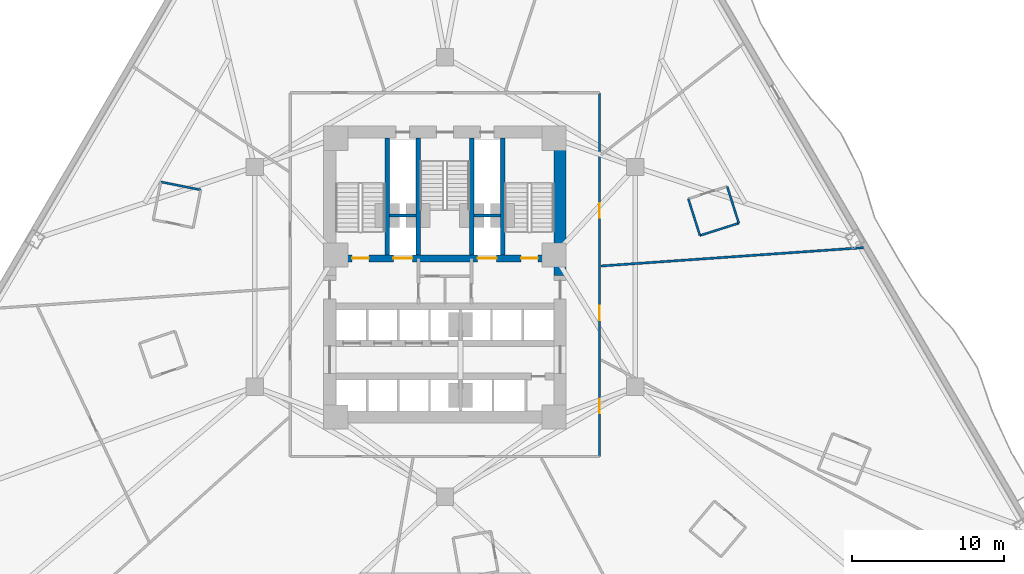
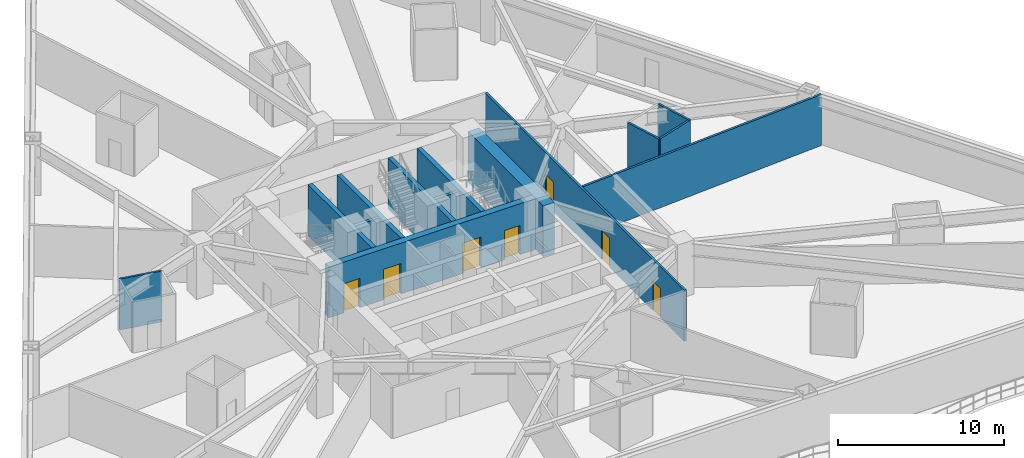
# One storey, part 5 of 10: 14 walls, 7 doors, 7 openings.
"""IFC4 building model written with IfcOpenShell, lengths in metres."""

import ifcopenshell
import ifcopenshell.guid

model = None  # the IFC model being written
_history = None  # IfcOwnerHistory: only IFC2X3 demands one
_inside = {}  # id of a spatial element -> (the spatial element, [elements in it])
_under = {}  # id of a project, library or spatial element -> (it, [spatial elements below it])
_declared = {}  # id of a project -> (the project, [libraries it declares])
_typed = {}  # id of a type object -> (the type object, [elements of that type])
_made_of = {}  # id of a material, layer set ... -> (it, [elements and type objects made of it])


def new_model(schema):
    """Start an empty IFC model of exactly this schema.

    Asked for "IFC4X3", IfcOpenShell would pick the latest addendum, in which some entities
    have other attributes; the version numbers below select the first issue.
    IFC2X3 requires an IfcOwnerHistory on every rooted entity: one is made here for all.
    """
    global model, _history
    if schema == "IFC4X3":
        model = ifcopenshell.file(schema_version=(4, 3, 0, 0))
    else:
        model = ifcopenshell.file(schema=schema)
    _inside.clear()
    _under.clear()
    _declared.clear()
    _typed.clear()
    _made_of.clear()
    _history = None
    if model.schema == "IFC2X3":
        org = make("IfcOrganization", Name="unknown")
        user = make(
            "IfcPersonAndOrganization",
            ThePerson=make("IfcPerson", FamilyName="unknown"),
            TheOrganization=org,
        )
        app = make(
            "IfcApplication",
            ApplicationDeveloper=org,
            Version="unknown",
            ApplicationFullName="unknown",
            ApplicationIdentifier="unknown",
        )
        _history = make(
            "IfcOwnerHistory",
            OwningUser=user,
            OwningApplication=app,
            ChangeAction="ADDED",
            CreationDate=0,
        )
    return model


def make(cls, **values):
    """One entity of the class cls with the attributes given. An attribute that is None is left unset."""
    return model.create_entity(
        cls, **{name: value for name, value in values.items() if value is not None}
    )


def rooted(cls, **values):
    """An entity with a GlobalId (a new one), such as an element, a storey or a relation."""
    return make(cls, GlobalId=ifcopenshell.guid.new(), OwnerHistory=_history, **values)


def si_unit(unit_type, name, prefix=None):
    """IfcSIUnit, for example si_unit("LENGTHUNIT", "METRE", prefix="MILLI")."""
    return make("IfcSIUnit", UnitType=unit_type, Prefix=prefix, Name=name)


def assignment(units):
    """IfcUnitAssignment: the units of a project."""
    return None if units is None else make("IfcUnitAssignment", Units=units)


def point(xyz):
    """IfcCartesianPoint."""
    return None if xyz is None else make("IfcCartesianPoint", Coordinates=xyz)


def direction(xyz):
    """IfcDirection."""
    return None if xyz is None else make("IfcDirection", DirectionRatios=xyz)


def frame(location, z_axis=None, x_axis=None):
    """IfcAxis2Placement3D, a coordinate frame: its origin and axes. An axis left out is left unset."""
    return make(
        "IfcAxis2Placement3D",
        Location=point(location),
        Axis=direction(z_axis),
        RefDirection=direction(x_axis),
    )


def frame_2d(location, x_axis=None):
    """IfcAxis2Placement2D, a coordinate frame in the plane: its origin and x axis."""
    return make(
        "IfcAxis2Placement2D", Location=point(location), RefDirection=direction(x_axis)
    )


def origin():
    """The frame at (0, 0, 0) with its axes left unset."""
    return frame((0.0, 0.0, 0.0))


def place(relative_to, where):
    """IfcLocalPlacement: puts the frame where relative to a parent placement (None: the world)."""
    return make(
        "IfcLocalPlacement", PlacementRelTo=relative_to, RelativePlacement=where
    )


def context(
    kind, dimensions, precision=None, world=None, true_north=None, identifier=None
):
    """IfcGeometricRepresentationContext, for example the 3D "Model" context."""
    return make(
        "IfcGeometricRepresentationContext",
        ContextIdentifier=identifier,
        ContextType=kind,
        CoordinateSpaceDimension=dimensions,
        Precision=precision,
        WorldCoordinateSystem=world,
        TrueNorth=true_north,
    )


def subcontext(parent, identifier, kind, view, scale=None):
    """IfcGeometricRepresentationSubContext, for example "Body" below "Model"."""
    return make(
        "IfcGeometricRepresentationSubContext",
        ContextIdentifier=identifier,
        ContextType=kind,
        ParentContext=parent,
        TargetScale=scale,
        TargetView=view,
    )


def project(units=None, contexts=None):
    """IfcProject with its units and contexts."""
    return rooted(
        "IfcProject",
        Name="project",
        RepresentationContexts=contexts,
        UnitsInContext=assignment(units),
    )


def spatial(cls, under=None, at=None, **own):
    """A site, building, storey or space (cls), placed at a placement, below another one or the project."""
    s = rooted(cls, ObjectPlacement=at, **own)
    if under is not None:
        _under.setdefault(under.id(), (under, []))[1].append(s)
    return s


def profile(cls, at=None, kind="AREA", **sizes):
    """A parametric profile (cls). Its sizes go by their IFC names, for example OverallWidth=200.0."""
    return make(cls, ProfileType=kind, Position=at, **sizes)


def rectangle(**sizes):
    """IfcRectangleProfileDef."""
    return profile("IfcRectangleProfileDef", **sizes)


def extrude(swept, where, along, depth):
    """IfcExtrudedAreaSolid: the profile swept, set in the frame where, extruded along a direction by depth."""
    return make(
        "IfcExtrudedAreaSolid",
        SweptArea=swept,
        Position=where,
        ExtrudedDirection=direction(along),
        Depth=depth,
    )


def shape(context_of_items, identifier, shape_type, items):
    """IfcShapeRepresentation: the items that make up one representation, for example the "Body"."""
    return make(
        "IfcShapeRepresentation",
        ContextOfItems=context_of_items,
        RepresentationIdentifier=identifier,
        RepresentationType=shape_type,
        Items=items,
    )


def material(Name=None, Category=None):
    """IfcMaterial."""
    return make("IfcMaterial", Name=Name, Category=Category)


def layer(
    of_material, thickness, ventilated=None, Name=None, Category=None, Priority=None
):
    """IfcMaterialLayer: one layer of a wall or slab, of a material (None: an air gap)."""
    return make(
        "IfcMaterialLayer",
        Material=of_material,
        LayerThickness=thickness,
        IsVentilated=ventilated,
        Name=Name,
        Category=Category,
        Priority=Priority,
    )


def layer_set(layers, Name=None):
    """IfcMaterialLayerSet."""
    return make("IfcMaterialLayerSet", MaterialLayers=layers, LayerSetName=Name)


def made_of(thing, what):
    """Note that an element or type object is made of a material, layer set ...; save() writes the relation."""
    if what is not None:
        _made_of.setdefault(what.id(), (what, []))[1].append(thing)
    return thing


def type_object(cls, material=None, **own):
    """A type object (cls), such as IfcWallType, which elements share."""
    return made_of(rooted(cls, **own), material)


def element(
    cls,
    number,
    at=None,
    inside=None,
    cuts=None,
    type_object=None,
    material=None,
    context=None,
    identifier="Body",
    shape_type=None,
    held_by="IfcProductDefinitionShape",
    body=None,
    shapes=None,
    **own,
):
    """One element of the class cls, such as IfcWall. Its Tag is "e" and its number.

    at: its placement. inside: the storey or other place that contains it. cuts: it is an
    opening in that element (IfcRelVoidsElement). A single representation is given by context,
    identifier, shape_type and body (its items); several are given by shapes. held_by: the class
    of the entity that holds the representations. save() writes the other relations.
    """
    e = rooted(cls, Tag="e%d" % number, ObjectPlacement=at, **own)
    if body is not None:
        shapes = [shape(context, identifier, shape_type, body)]
    if shapes is not None:
        e.Representation = make(held_by, Representations=shapes)
    if inside is not None:
        _inside.setdefault(inside.id(), (inside, []))[1].append(e)
    if cuts is not None:
        rooted(
            "IfcRelVoidsElement", RelatingBuildingElement=cuts, RelatedOpeningElement=e
        )
    if type_object is not None:
        _typed.setdefault(type_object.id(), (type_object, []))[1].append(e)
    return made_of(e, material)


def fill(opening, filler):
    """IfcRelFillsElement: the door or window that sits in an opening."""
    return rooted(
        "IfcRelFillsElement",
        RelatingOpeningElement=opening,
        RelatedBuildingElement=filler,
    )


def aggregate(whole, parts):
    """IfcRelAggregates: a whole, such as a stair, and the parts it consists of."""
    return rooted("IfcRelAggregates", RelatingObject=whole, RelatedObjects=parts)


def save(model, path):
    """Write the relations noted so far, then the file.

    IfcRelAggregates (storeys below a building ...), IfcRelContainedInSpatialStructure (elements
    in a storey), IfcRelDefinesByType, IfcRelAssociatesMaterial and IfcRelDeclares: one each for
    every whole, place, type object, material and project.
    """
    for whole, parts in _under.values():
        aggregate(whole, parts)
    for where, things in _inside.values():
        rooted(
            "IfcRelContainedInSpatialStructure",
            RelatedElements=things,
            RelatingStructure=where,
        )
    for kind, things in _typed.values():
        rooted("IfcRelDefinesByType", RelatedObjects=things, RelatingType=kind)
    for what, things in _made_of.values():
        rooted("IfcRelAssociatesMaterial", RelatedObjects=things, RelatingMaterial=what)
    for by, libraries in _declared.values():
        rooted("IfcRelDeclares", RelatingContext=by, RelatedDefinitions=libraries)
    model.write(path)


model = new_model("IFC4")

# Units and contexts
model_context = context("Model", 3, precision=1e-05, world=origin(), true_north=direction((0.0, 1.0)))
body_context = subcontext(model_context, "Body", "Model", "MODEL_VIEW")
ifc_project = project(units=[si_unit("LENGTHUNIT", "METRE"), si_unit("AREAUNIT", "SQUARE_METRE"), si_unit("VOLUMEUNIT", "CUBIC_METRE"), si_unit("PLANEANGLEUNIT", "RADIAN"), si_unit("MASSUNIT", "GRAM", prefix="KILO")], contexts=[model_context])

# Site, building, storey
site_placement = place(None, origin())
site = spatial("IfcSite", under=ifc_project, at=site_placement, CompositionType="ELEMENT")
building_placement = place(site_placement, origin())
building = spatial("IfcBuilding", under=site, at=building_placement, Name="Apsidion Concourse Tower", CompositionType="ELEMENT")
storey_placement = place(building_placement, frame((0.0, 0.0, 38.39990234375)))
storey = spatial("IfcBuildingStorey", under=building, at=storey_placement, Name="L07", CompositionType="ELEMENT", Elevation=38.39990234375)

# Walls
ifc_material_1 = material(Name="Gypsum plasterboard partition")
ifc_layer_1 = layer(ifc_material_1, 0.139892578125)
ifc_layer_set_1 = layer_set([ifc_layer_1], Name="Gypsum plasterboard partition")
wall_type_1 = type_object("IfcWallType", Name="WL-INT-PAR-140", PredefinedType="PARTITIONING", material=ifc_layer_set_1)
wall_1_placement = place(storey_placement, frame((16.822021484375, 2.730712890625, 0.0), z_axis=(0.0, 0.0, 1.0), x_axis=(0.953175772707, 0.302416841998, 0.0)))
element("IfcWall", 1, at=wall_1_placement, inside=storey, type_object=wall_type_1, Name="L07 Interior Partition WL-L07-POD-ENS05-S1", PredefinedType="PARTITIONING", context=body_context, shape_type="SweptSolid", body=[
    extrude(rectangle(XDim=2.68994140625, YDim=0.139892578125, at=frame_2d((1.344970703125, 0.0))), origin(), (0.0, 0.0, 1.0), 3.75),
])
for number, where, z_axis, x_axis, name in (
    (2, (19.385986328125, 3.544189453125, 0.0), (0.0, 0.0, 1.0), (-0.302382317173, 0.953186725811, 0.0), "L07 Interior Partition WL-L07-POD-ENS05-S2"),
    (3, (16.0537109375, 5.15185546875, 0.0), (0.0, 0.0, 1.0), (0.302469641391, -0.953159019281, 0.0), "L07 Interior Partition WL-L07-POD-ENS05-S4"),
):
    element("IfcWall", number, at=place(storey_placement, frame(where, z_axis=z_axis, x_axis=x_axis)), inside=storey, type_object=wall_type_1, Name=name, PredefinedType="PARTITIONING", context=body_context, shape_type="SweptSolid", body=[
        extrude(rectangle(XDim=2.5400390625, YDim=0.139892578125, at=frame_2d((1.27001953125, 0.0))), origin(), (0.0, 0.0, 1.0), 3.75),
    ])
wall_2_placement = place(storey_placement, frame((-16.11181640625, 5.73974609375, 0.0), z_axis=(0.0, 0.0, 1.0), x_axis=(-0.980615566205, 0.195941601799, 0.0)))
element("IfcWall", 4, at=wall_2_placement, inside=storey, type_object=wall_type_1, Name="L07 Interior Partition WL-L07-POD-ENS09-S1", PredefinedType="PARTITIONING", context=body_context, shape_type="SweptSolid", body=[
    extrude(rectangle(XDim=2.690185546875, YDim=0.139892578125, at=frame_2d((1.34521484375, 0.0))), origin(), (0.0, 0.0, 1.0), 3.75),
])

# Wall, openings, doors
ifc_layer_2 = layer(ifc_material_1, 0.14990234375)
ifc_layer_set_2 = layer_set([ifc_layer_2], Name="Gypsum plasterboard partition")
wall_type_2 = type_object("IfcWallType", Name="WL-INT-PAR-150", PredefinedType="PARTITIONING", material=ifc_layer_set_2)
wall_3_placement = place(storey_placement, frame((10.199951171875, 12.14990234375, 0.0), z_axis=(0.0, 0.0, 1.0), x_axis=(0.0, -1.0, 0.0)))
wall_3 = element("IfcWall", 5, at=wall_3_placement, inside=storey, type_object=wall_type_2, Name="L07 Interior Partition WL-L07-CORR-02", PredefinedType="PARTITIONING", context=body_context, shape_type="SweptSolid", body=[
    extrude(rectangle(XDim=24.0, YDim=0.14990234375, at=frame_2d((12.0, 0.0))), origin(), (0.0, 0.0, 1.0), 3.75),
])
opening_1_placement = place(wall_3_placement, frame((20.210693359375, 0.0, 0.0)))
opening_1 = element("IfcOpeningElement", 6, at=opening_1_placement, cuts=wall_3, Name="Opening D-01R", PredefinedType="OPENING", context=body_context, shape_type="SweptSolid", body=[
    extrude(rectangle(XDim=0.949951171875, YDim=2.14990234375, at=frame_2d((0.47509765625, 1.074951171875))), frame((0.0, 0.0849609375, 0.0), z_axis=(0.0, -1.0, 0.0), x_axis=(1.0, 0.0, 0.0)), (0.0, 0.0, 1.0), 0.169921875),
])
opening_2_placement = place(wall_3_placement, frame((14.0498046875, 0.0, 0.0)))
opening_2 = element("IfcOpeningElement", 7, at=opening_2_placement, cuts=wall_3, Name="Opening D-01L", PredefinedType="OPENING", context=body_context, shape_type="SweptSolid", body=[
    extrude(rectangle(XDim=0.949951171875, YDim=2.14990234375, at=frame_2d((0.47509765625, 1.074951171875))), frame((0.0, 0.0849609375, 0.0), z_axis=(0.0, -1.0, 0.0), x_axis=(1.0, 0.0, 0.0)), (0.0, 0.0, 1.0), 0.169921875),
])
opening_3_placement = place(wall_3_placement, frame((7.29150390625, 0.0, 0.0)))
opening_3 = element("IfcOpeningElement", 8, at=opening_3_placement, cuts=wall_3, Name="Opening D-01R", PredefinedType="OPENING", context=body_context, shape_type="SweptSolid", body=[
    extrude(rectangle(XDim=0.949951171875, YDim=2.14990234375, at=frame_2d((0.47509765625, 1.074951171875))), frame((0.0, 0.0849609375, 0.0), z_axis=(0.0, -1.0, 0.0), x_axis=(1.0, 0.0, 0.0)), (0.0, 0.0, 1.0), 0.169921875),
])
ifc_material_2 = material(Name="Brushed stainless steel 316", Category="steel")
door_type_1 = type_object("IfcDoorType", Name="DR-INT-D01L", OperationType="SINGLE_SWING_LEFT", PredefinedType="DOOR", material=ifc_material_2)
door_1_placement = place(opening_2_placement, origin())
door_1 = element("IfcDoor", 9, at=door_1_placement, inside=storey, type_object=door_type_1, Name="L07 Corridor Entry Door 05", OperationType="SINGLE_SWING_LEFT", OverallHeight=2.14990234375, OverallWidth=0.949951171875, PredefinedType="DOOR", context=body_context, shape_type="SweptSolid", body=[
    extrude(rectangle(XDim=0.949951171875, YDim=2.14990234375, at=frame_2d((0.47509765625, 1.074951171875))), frame((0.0, 0.02490234375, 0.0), z_axis=(0.0, -1.0, 0.0), x_axis=(1.0, 0.0, 0.0)), (0.0, 0.0, 1.0), 0.050048828125),
])
fill(opening_2, door_1)
door_type_2 = type_object("IfcDoorType", Name="DR-INT-D01R", OperationType="SINGLE_SWING_RIGHT", PredefinedType="DOOR", material=ifc_material_2)
door_2_placement = place(opening_1_placement, origin())
door_2 = element("IfcDoor", 10, at=door_2_placement, inside=storey, type_object=door_type_2, Name="L07 Corridor Entry Door 04", OperationType="SINGLE_SWING_RIGHT", OverallHeight=2.14990234375, OverallWidth=0.949951171875, PredefinedType="DOOR", context=body_context, shape_type="SweptSolid", body=[
    extrude(rectangle(XDim=0.949951171875, YDim=2.14990234375, at=frame_2d((0.47509765625, 1.074951171875))), frame((0.0, 0.02490234375, 0.0), z_axis=(0.0, -1.0, 0.0), x_axis=(1.0, 0.0, 0.0)), (0.0, 0.0, 1.0), 0.050048828125),
])
fill(opening_1, door_2)
door_3_placement = place(opening_3_placement, origin())
door_3 = element("IfcDoor", 11, at=door_3_placement, inside=storey, type_object=door_type_2, Name="L07 Corridor Entry Door 06", OperationType="SINGLE_SWING_RIGHT", OverallHeight=2.14990234375, OverallWidth=0.949951171875, PredefinedType="DOOR", context=body_context, shape_type="SweptSolid", body=[
    extrude(rectangle(XDim=0.949951171875, YDim=2.14990234375, at=frame_2d((0.47509765625, 1.074951171875))), frame((0.0, 0.02490234375, 0.0), z_axis=(0.0, -1.0, 0.0), x_axis=(1.0, 0.0, 0.0)), (0.0, 0.0, 1.0), 0.050048828125),
])
fill(opening_3, door_3)

# Walls
wall_4_placement = place(storey_placement, frame((10.304931640625, 0.720703125, 0.0), z_axis=(0.0, 0.0, 1.0), x_axis=(0.997564495515, 0.069750106007, 0.0)))
element("IfcWall", 12, at=wall_4_placement, inside=storey, type_object=wall_type_2, Name="L07 Interior Partition WL-L07-RAD-01-1", PredefinedType="PARTITIONING", context=body_context, shape_type="SweptSolid", body=[
    extrude(rectangle(XDim=17.340087890625, YDim=0.14990234375, at=frame_2d((8.669921875, 0.0))), origin(), (0.0, 0.0, 1.0), 3.75),
])
ifc_layer_3 = layer(ifc_material_1, 0.199951171875)
ifc_layer_set_3 = layer_set([ifc_layer_3], Name="Gypsum plasterboard partition")
wall_type_3 = type_object("IfcWallType", Name="WL-INT-PAR-200", PredefinedType="PARTITIONING", material=ifc_layer_set_3)
for number, where, z_axis, x_axis, name in (
    (13, (-3.64990234375, 4.050048828125, 0.0), (0.0, 0.0, 1.0), (1.0, 0.0, 0.0), "L07 Interior Partition WL-L07-FF1-N"),
    (14, (1.919921875, 4.050048828125, 0.0), (0.0, 0.0, 1.0), (1.0, 0.0, 0.0), "L07 Interior Partition WL-L07-FF2-N"),
):
    element("IfcWall", number, at=place(storey_placement, frame(where, z_axis=z_axis, x_axis=x_axis)), inside=storey, type_object=wall_type_3, Name=name, PredefinedType="PARTITIONING", context=body_context, shape_type="SweptSolid", body=[
        extrude(rectangle(XDim=1.72998046875, YDim=0.199951171875, at=frame_2d((0.864990234375, 0.0))), origin(), (0.0, 0.0, 1.0), 3.75),
    ])
ifc_material_3 = material(Name="Concrete C50/60", Category="concrete")
ifc_layer_4 = layer(ifc_material_3, 0.300048828125)
ifc_layer_set_4 = layer_set([ifc_layer_4], Name="Concrete C50/60")
wall_type_4 = type_object("IfcWallType", Name="WL-SH-300", PredefinedType="SHEAR", material=ifc_layer_set_4)
for number, where, z_axis, x_axis, name in (
    (15, (-3.800048828125, 1.449951171875, 0.0), (0.0, 0.0, 1.0), (0.0, 1.0, 0.0), "L07 Central Core Shear Wall V1"),
    (16, (-1.77490234375, 1.449951171875, 0.0), (0.0, 0.0, 1.0), (0.0, 1.0, 0.0), "L07 Central Core Shear Wall V2"),
    (17, (1.77490234375, 1.449951171875, 0.0), (0.0, 0.0, 1.0), (0.0, 1.0, 0.0), "L07 Central Core Shear Wall V3"),
    (18, (3.800048828125, 1.449951171875, 0.0), (0.0, 0.0, 1.0), (0.0, 1.0, 0.0), "L07 Central Core Shear Wall V4"),
):
    element("IfcWall", number, at=place(storey_placement, frame(where, z_axis=z_axis, x_axis=x_axis)), inside=storey, type_object=wall_type_4, Name=name, PredefinedType="SHEAR", context=body_context, shape_type="SweptSolid", body=[
        extrude(rectangle(XDim=7.699951171875, YDim=0.300048828125, at=frame_2d((3.85009765625, 0.0))), origin(), (0.0, 0.0, 1.0), 3.75),
    ])

# Wall, openings, doors
ifc_material_4 = material(Name="Concrete C60/75", Category="concrete")
ifc_layer_5 = layer(ifc_material_4, 0.449951171875)
ifc_layer_set_5 = layer_set([ifc_layer_5], Name="Concrete C60/75")
wall_type_5 = type_object("IfcWallType", Name="WL-SH-450", PredefinedType="SHEAR", material=ifc_layer_set_5)
wall_5_placement = place(storey_placement, frame((-7.199951171875, 1.22509765625, 0.0), z_axis=(0.0, 0.0, 1.0), x_axis=(1.0, 0.0, 0.0)))
wall_5 = element("IfcWall", 19, at=wall_5_placement, inside=storey, type_object=wall_type_5, Name="L07 Central Core Shear Wall M1", PredefinedType="SHEAR", context=body_context, shape_type="SweptSolid", body=[
    extrude(rectangle(XDim=14.39990234375, YDim=0.449951171875, at=frame_2d((7.199951171875, 0.0))), origin(), (0.0, 0.0, 1.0), 3.75),
])
opening_4_placement = place(wall_5_placement, frame((3.794921875, 0.0, 0.0)))
opening_4 = element("IfcOpeningElement", 20, at=opening_4_placement, cuts=wall_5, Name="Opening LD-FF", PredefinedType="OPENING", context=body_context, shape_type="SweptSolid", body=[
    extrude(rectangle(XDim=1.25, YDim=2.25, at=frame_2d((0.625, 1.125))), frame((0.0, 0.23486328125, 0.0), z_axis=(0.0, -1.0, 0.0), x_axis=(1.0, 0.0, 0.0)), (0.0, 0.0, 1.0), 0.469970703125),
])
opening_5_placement = place(wall_5_placement, frame((9.35498046875, 0.0, 0.0)))
opening_5 = element("IfcOpeningElement", 21, at=opening_5_placement, cuts=wall_5, Name="Opening LD-FF", PredefinedType="OPENING", context=body_context, shape_type="SweptSolid", body=[
    extrude(rectangle(XDim=1.25, YDim=2.25, at=frame_2d((0.625, 1.125))), frame((0.0, 0.23486328125, 0.0), z_axis=(0.0, -1.0, 0.0), x_axis=(1.0, 0.0, 0.0)), (0.0, 0.0, 1.0), 0.469970703125),
])
opening_6_placement = place(wall_5_placement, frame((1.074951171875, 0.0, 0.0)))
opening_6 = element("IfcOpeningElement", 22, at=opening_6_placement, cuts=wall_5, Name="Opening D-STL", PredefinedType="OPENING", context=body_context, shape_type="SweptSolid", body=[
    extrude(rectangle(XDim=1.10009765625, YDim=2.14990234375, at=frame_2d((0.550048828125, 1.074951171875))), frame((0.0, 0.23486328125, 0.0), z_axis=(0.0, -1.0, 0.0), x_axis=(1.0, 0.0, 0.0)), (0.0, 0.0, 1.0), 0.469970703125),
])
opening_7_placement = place(wall_5_placement, frame((12.22509765625, 0.0, 0.0)))
opening_7 = element("IfcOpeningElement", 23, at=opening_7_placement, cuts=wall_5, Name="Opening D-STR", PredefinedType="OPENING", context=body_context, shape_type="SweptSolid", body=[
    extrude(rectangle(XDim=1.10009765625, YDim=2.14990234375, at=frame_2d((0.550048828125, 1.074951171875))), frame((0.0, 0.23486328125, 0.0), z_axis=(0.0, -1.0, 0.0), x_axis=(1.0, 0.0, 0.0)), (0.0, 0.0, 1.0), 0.469970703125),
])
door_type_3 = type_object("IfcDoorType", Name="DR-INT-ST1L", OperationType="SINGLE_SWING_LEFT", PredefinedType="DOOR", material=ifc_material_2)
door_4_placement = place(opening_6_placement, origin())
door_4 = element("IfcDoor", 24, at=door_4_placement, inside=storey, type_object=door_type_3, Name="L07 Core Exit Stair ST1 Door", OperationType="SINGLE_SWING_LEFT", OverallHeight=2.14990234375, OverallWidth=1.10009765625, PredefinedType="DOOR", context=body_context, shape_type="SweptSolid", body=[
    extrude(rectangle(XDim=1.10009765625, YDim=2.14990234375, at=frame_2d((0.550048828125, 1.074951171875))), frame((0.0, 0.02490234375, 0.0), z_axis=(0.0, -1.0, 0.0), x_axis=(1.0, 0.0, 0.0)), (0.0, 0.0, 1.0), 0.050048828125),
])
fill(opening_6, door_4)
door_type_4 = type_object("IfcDoorType", Name="DR-INT-ST1R", OperationType="SINGLE_SWING_RIGHT", PredefinedType="DOOR", material=ifc_material_2)
door_5_placement = place(opening_7_placement, origin())
door_5 = element("IfcDoor", 25, at=door_5_placement, inside=storey, type_object=door_type_4, Name="L07 Core Exit Stair ST2 Door", OperationType="SINGLE_SWING_RIGHT", OverallHeight=2.14990234375, OverallWidth=1.10009765625, PredefinedType="DOOR", context=body_context, shape_type="SweptSolid", body=[
    extrude(rectangle(XDim=1.10009765625, YDim=2.14990234375, at=frame_2d((0.550048828125, 1.074951171875))), frame((0.0, 0.02490234375, 0.0), z_axis=(0.0, -1.0, 0.0), x_axis=(1.0, 0.0, 0.0)), (0.0, 0.0, 1.0), 0.050048828125),
])
fill(opening_7, door_5)
door_type_5 = type_object("IfcDoorType", Name="DR-LD-FSAE", OperationType="DOUBLE_DOOR_SLIDING", PredefinedType="DOOR", material=ifc_material_2)
door_6_placement = place(opening_4_placement, origin())
door_6 = element("IfcDoor", 26, at=door_6_placement, inside=storey, type_object=door_type_5, Name="L07 Lift Landing Door FF1", OperationType="DOUBLE_DOOR_SLIDING", OverallHeight=2.25, OverallWidth=1.25, PredefinedType="DOOR", context=body_context, shape_type="SweptSolid", body=[
    extrude(rectangle(XDim=1.25, YDim=2.25, at=frame_2d((0.625, 1.125))), frame((0.0, 0.02490234375, 0.0), z_axis=(0.0, -1.0, 0.0), x_axis=(1.0, 0.0, 0.0)), (0.0, 0.0, 1.0), 0.050048828125),
])
fill(opening_4, door_6)
door_7_placement = place(opening_5_placement, origin())
door_7 = element("IfcDoor", 27, at=door_7_placement, inside=storey, type_object=door_type_5, Name="L07 Lift Landing Door FF2", OperationType="DOUBLE_DOOR_SLIDING", OverallHeight=2.25, OverallWidth=1.25, PredefinedType="DOOR", context=body_context, shape_type="SweptSolid", body=[
    extrude(rectangle(XDim=1.25, YDim=2.25, at=frame_2d((0.625, 1.125))), frame((0.0, 0.02490234375, 0.0), z_axis=(0.0, -1.0, 0.0), x_axis=(1.0, 0.0, 0.0)), (0.0, 0.0, 1.0), 0.050048828125),
])
fill(opening_5, door_7)

# Wall
ifc_layer_6 = layer(ifc_material_4, 0.800048828125)
ifc_layer_set_6 = layer_set([ifc_layer_6], Name="Concrete C60/75")
wall_type_6 = type_object("IfcWallType", Name="WL-SH-800", PredefinedType="SHEAR", material=ifc_layer_set_6)
wall_6_placement = place(storey_placement, frame((7.60009765625, 0.10009765625, 0.0), z_axis=(0.0, 0.0, 1.0), x_axis=(0.0, 1.0, 0.0)))
element("IfcWall", 28, at=wall_6_placement, inside=storey, type_object=wall_type_6, Name="L07 Central Core Shear Wall EN", PredefinedType="SHEAR", context=body_context, shape_type="SweptSolid", body=[
    extrude(rectangle(XDim=9.0498046875, YDim=0.800048828125, at=frame_2d((4.52490234375, 0.0))), origin(), (0.0, 0.0, 1.0), 3.75),
])

save(model, "model.ifc")
